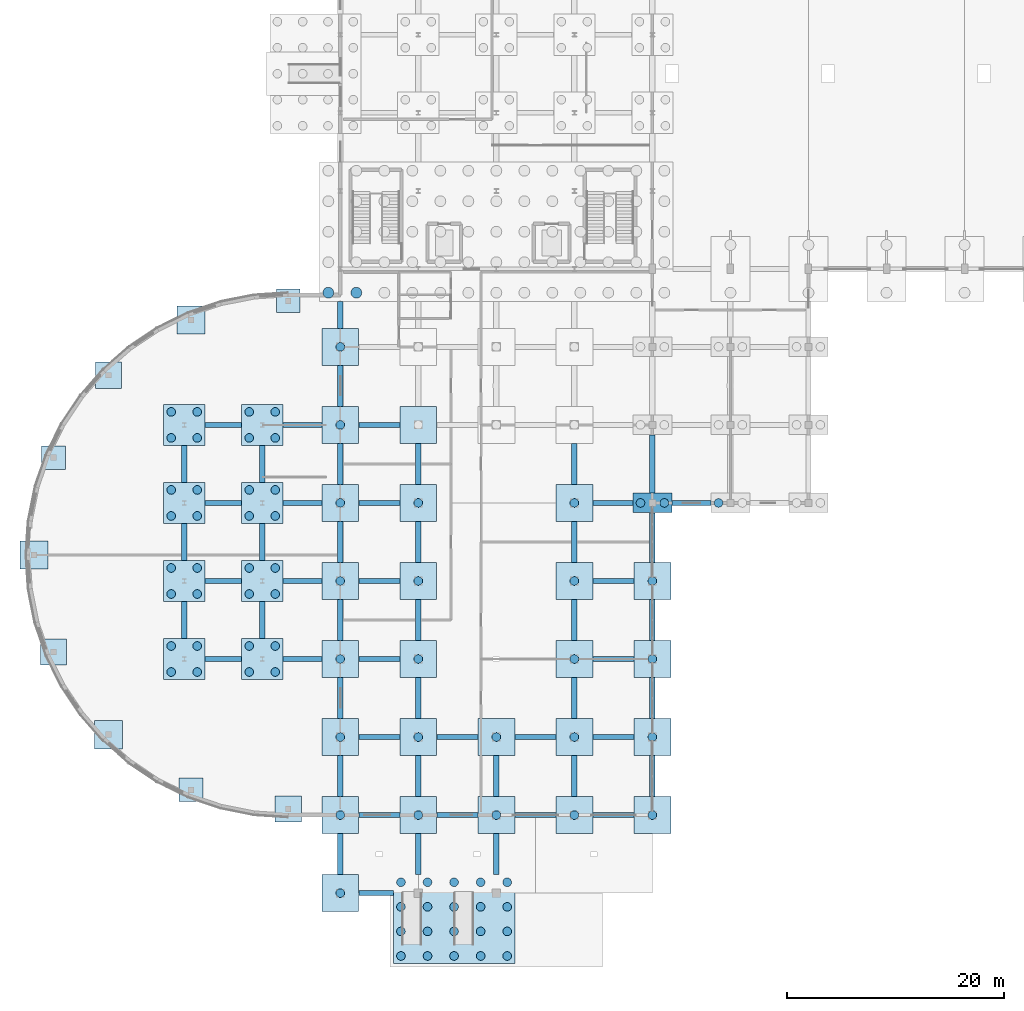
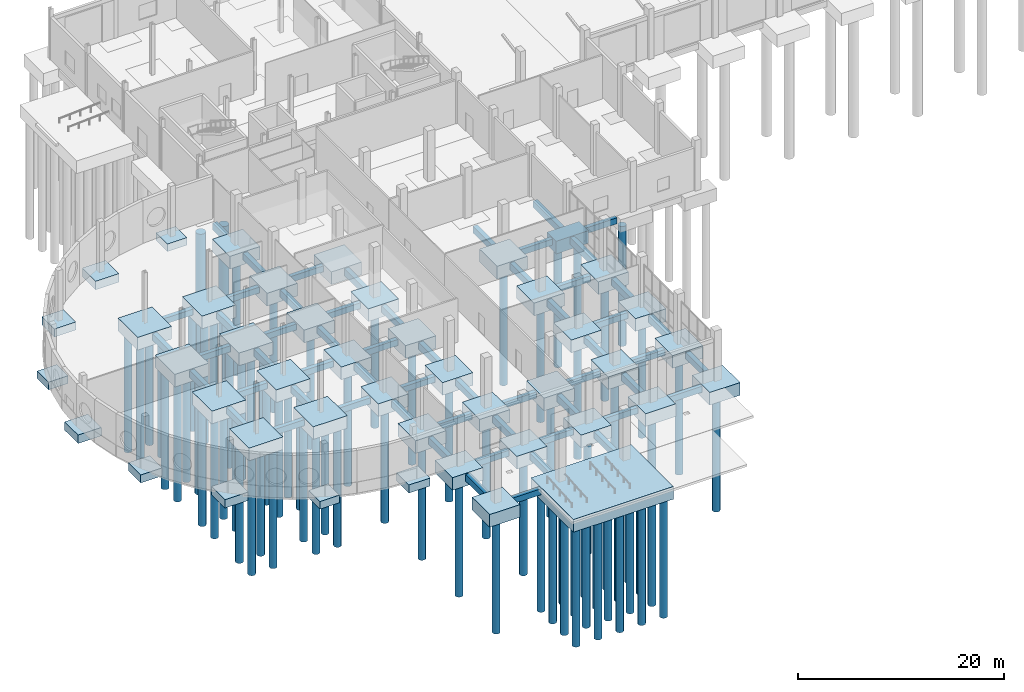
# One storey, part 1 of 45: 101 footings, 81 piles.
"""IFC4 building model written with IfcOpenShell, lengths in metres."""

from ifc_helpers import new_model, si_unit, direction, frame, origin, origin_2d, place, context, subcontext, project, spatial, rectangle, circle, extrude, material, material_profile, profile_set, type_object, element, save


model = new_model("IFC4")

# Units and contexts
model_context = context("Model", 3, precision=1e-05, world=origin(), true_north=direction((0.0, 1.0)))
body_context = subcontext(model_context, "Body", "Model", "MODEL_VIEW")
ifc_project = project(units=[si_unit("LENGTHUNIT", "METRE"), si_unit("AREAUNIT", "SQUARE_METRE"), si_unit("VOLUMEUNIT", "CUBIC_METRE"), si_unit("PLANEANGLEUNIT", "RADIAN"), si_unit("MASSUNIT", "GRAM", prefix="KILO")], contexts=[model_context])

# Site, building, storey
site_placement = place(None, origin())
site = spatial("IfcSite", under=ifc_project, at=site_placement, CompositionType="ELEMENT")
building_placement = place(site_placement, origin())
building = spatial("IfcBuilding", under=site, at=building_placement, Name="Yarey Park Central Fire Station", CompositionType="ELEMENT")
storey_placement = place(building_placement, origin())
storey = spatial("IfcBuildingStorey", under=building, at=storey_placement, Name="L01", CompositionType="ELEMENT", Elevation=0.0)

# Footings
ifc_material = material(Name="Concrete C35/45", Category="concrete")
footing_type_1 = type_object("IfcFootingType", Name="STR_CAP_M05", PredefinedType="PILE_CAP", material=ifc_material)
footing_1_placement = place(storey_placement, frame((39.300048828125, -2.39990234375, -1.5), z_axis=(0.0, 0.0, 1.0), x_axis=(1.0, 0.0, 0.0)))
element("IfcFooting", 1, at=footing_1_placement, inside=storey, type_object=footing_type_1, Name="FDN_CAP_005", PredefinedType="PILE_CAP", context=body_context, shape_type="SweptSolid", body=[
    extrude(rectangle(XDim=11.199951171875, YDim=8.199951171875, at=origin_2d()), origin(), (0.0, 0.0, 1.0), 1.5),
])
footing_type_2 = type_object("IfcFootingType", Name="STR_CAP_PC2", PredefinedType="PILE_CAP", material=ifc_material)
footing_2_placement = place(storey_placement, frame((57.60009765625, 36.0, -1.5), z_axis=(0.0, 0.0, 1.0), x_axis=(1.0, 0.0, 0.0)))
element("IfcFooting", 2, at=footing_2_placement, inside=storey, type_object=footing_type_2, Name="FDN_CAP_058", PredefinedType="PILE_CAP", context=body_context, shape_type="SweptSolid", body=[
    extrude(rectangle(XDim=3.60009765625, YDim=1.800048828125, at=origin_2d()), origin(), (0.0, 0.0, 1.0), 1.5),
])
footing_type_3 = type_object("IfcFootingType", Name="STR_CAP_PC4", PredefinedType="PILE_CAP", material=ifc_material)
for number, where, z_axis, x_axis, name in (
    (3, (28.800048828125, 0.0, -1.5), (0.0, 0.0, 1.0), (1.0, 0.0, 0.0), "FDN_CAP_018"),
    (4, (28.800048828125, 7.199951171875, -1.5), (0.0, 0.0, 1.0), (1.0, 0.0, 0.0), "FDN_CAP_019"),
    (5, (28.800048828125, 14.39990234375, -1.5), (0.0, 0.0, 1.0), (1.0, 0.0, 0.0), "FDN_CAP_020"),
    (6, (28.800048828125, 21.60009765625, -1.5), (0.0, 0.0, 1.0), (1.0, 0.0, 0.0), "FDN_CAP_021"),
    (7, (28.800048828125, 28.800048828125, -1.5), (0.0, 0.0, 1.0), (1.0, 0.0, 0.0), "FDN_CAP_022"),
    (8, (28.800048828125, 36.0, -1.5), (0.0, 0.0, 1.0), (1.0, 0.0, 0.0), "FDN_CAP_023"),
    (9, (28.800048828125, 43.199951171875, -1.5), (0.0, 0.0, 1.0), (1.0, 0.0, 0.0), "FDN_CAP_024"),
    (10, (28.800048828125, 50.39990234375, -1.5), (0.0, 0.0, 1.0), (1.0, 0.0, 0.0), "FDN_CAP_025"),
    (11, (36.0, 7.199951171875, -1.5), (0.0, 0.0, 1.0), (1.0, 0.0, 0.0), "FDN_CAP_027"),
    (12, (36.0, 14.39990234375, -1.5), (0.0, 0.0, 1.0), (1.0, 0.0, 0.0), "FDN_CAP_028"),
    (13, (36.0, 21.60009765625, -1.5), (0.0, 0.0, 1.0), (1.0, 0.0, 0.0), "FDN_CAP_029"),
    (14, (36.0, 28.800048828125, -1.5), (0.0, 0.0, 1.0), (1.0, 0.0, 0.0), "FDN_CAP_030"),
    (15, (36.0, 36.0, -1.5), (0.0, 0.0, 1.0), (1.0, 0.0, 0.0), "FDN_CAP_031"),
    (16, (36.0, 43.199951171875, -1.5), (0.0, 0.0, 1.0), (1.0, 0.0, 0.0), "FDN_CAP_032"),
    (17, (43.199951171875, 7.199951171875, -1.5), (0.0, 0.0, 1.0), (1.0, 0.0, 0.0), "FDN_CAP_037"),
    (18, (43.199951171875, 14.39990234375, -1.5), (0.0, 0.0, 1.0), (1.0, 0.0, 0.0), "FDN_CAP_038"),
    (19, (50.39990234375, 7.199951171875, -1.5), (0.0, 0.0, 1.0), (1.0, 0.0, 0.0), "FDN_CAP_044"),
    (20, (50.39990234375, 14.39990234375, -1.5), (0.0, 0.0, 1.0), (1.0, 0.0, 0.0), "FDN_CAP_045"),
    (21, (50.39990234375, 21.60009765625, -1.5), (0.0, 0.0, 1.0), (1.0, 0.0, 0.0), "FDN_CAP_046"),
    (22, (50.39990234375, 28.800048828125, -1.5), (0.0, 0.0, 1.0), (1.0, 0.0, 0.0), "FDN_CAP_047"),
    (23, (50.39990234375, 36.0, -1.5), (0.0, 0.0, 1.0), (1.0, 0.0, 0.0), "FDN_CAP_048"),
    (24, (57.60009765625, 7.199951171875, -1.5), (0.0, 0.0, 1.0), (1.0, 0.0, 0.0), "FDN_CAP_054"),
    (25, (57.60009765625, 14.39990234375, -1.5), (0.0, 0.0, 1.0), (1.0, 0.0, 0.0), "FDN_CAP_055"),
    (26, (57.60009765625, 21.60009765625, -1.5), (0.0, 0.0, 1.0), (1.0, 0.0, 0.0), "FDN_CAP_056"),
    (27, (57.60009765625, 28.800048828125, -1.5), (0.0, 0.0, 1.0), (1.0, 0.0, 0.0), "FDN_CAP_057"),
):
    element("IfcFooting", number, at=place(storey_placement, frame(where, z_axis=z_axis, x_axis=x_axis)), inside=storey, type_object=footing_type_3, Name=name, PredefinedType="PILE_CAP", context=body_context, shape_type="SweptSolid", body=[
        extrude(rectangle(XDim=3.39990234375, YDim=3.39990234375, at=origin_2d()), origin(), (0.0, 0.0, 1.0), 1.5),
    ])
footing_type_4 = type_object("IfcFootingType", Name="STR_CAP_PC4H", PredefinedType="PILE_CAP", material=ifc_material)
for number, where, z_axis, x_axis, name in (
    (28, (14.39990234375, 21.60009765625, -1.5), (0.0, 0.0, 1.0), (1.0, 0.0, 0.0), "FDN_CAP_010"),
    (29, (14.39990234375, 28.800048828125, -1.5), (0.0, 0.0, 1.0), (1.0, 0.0, 0.0), "FDN_CAP_011"),
    (30, (14.39990234375, 36.0, -1.5), (0.0, 0.0, 1.0), (1.0, 0.0, 0.0), "FDN_CAP_012"),
    (31, (14.39990234375, 43.199951171875, -1.5), (0.0, 0.0, 1.0), (1.0, 0.0, 0.0), "FDN_CAP_013"),
    (32, (21.60009765625, 21.60009765625, -1.5), (0.0, 0.0, 1.0), (1.0, 0.0, 0.0), "FDN_CAP_014"),
    (33, (21.60009765625, 28.800048828125, -1.5), (0.0, 0.0, 1.0), (1.0, 0.0, 0.0), "FDN_CAP_015"),
    (34, (21.60009765625, 36.0, -1.5), (0.0, 0.0, 1.0), (1.0, 0.0, 0.0), "FDN_CAP_016"),
    (35, (21.60009765625, 43.199951171875, -1.5), (0.0, 0.0, 1.0), (1.0, 0.0, 0.0), "FDN_CAP_017"),
):
    element("IfcFooting", number, at=place(storey_placement, frame(where, z_axis=z_axis, x_axis=x_axis)), inside=storey, type_object=footing_type_4, Name=name, PredefinedType="PILE_CAP", context=body_context, shape_type="SweptSolid", body=[
        extrude(rectangle(XDim=3.800048828125, YDim=3.800048828125, at=origin_2d()), origin(), (0.0, 0.0, 1.0), 1.5),
    ])
footing_type_5 = type_object("IfcFootingType", Name="STR_GB_1", PredefinedType="FOOTING_BEAM", material=ifc_material)
footing_3_placement = place(storey_placement, frame((32.10009765625, 0.0, -0.85009765625), z_axis=(0.0, 0.0, 1.0), x_axis=(1.0, 0.0, 0.0)))
element("IfcFooting", 36, at=footing_3_placement, inside=storey, type_object=footing_type_5, Name="FDN_GBX_001", PredefinedType="FOOTING_BEAM", context=body_context, shape_type="SweptSolid", body=[
    extrude(rectangle(XDim=3.18408203125, YDim=0.449951171875, at=origin_2d()), origin(), (0.0, 0.0, 1.0), 0.699951171875),
])
for number, where, z_axis, x_axis, name in (
    (37, (32.39990234375, 7.199951171875, -0.85009765625), (0.0, 0.0, 1.0), (1.0, 0.0, 0.0), "FDN_GBX_002"),
    (38, (39.60009765625, 7.199951171875, -0.85009765625), (0.0, 0.0, 1.0), (1.0, 0.0, 0.0), "FDN_GBX_003"),
    (39, (46.800048828125, 7.199951171875, -0.85009765625), (0.0, 0.0, 1.0), (1.0, 0.0, 0.0), "FDN_GBX_004"),
    (40, (54.0, 7.199951171875, -0.85009765625), (0.0, 0.0, 1.0), (1.0, 0.0, 0.0), "FDN_GBX_005"),
    (41, (32.39990234375, 14.39990234375, -0.85009765625), (0.0, 0.0, 1.0), (1.0, 0.0, 0.0), "FDN_GBX_006"),
    (42, (39.60009765625, 14.39990234375, -0.85009765625), (0.0, 0.0, 1.0), (1.0, 0.0, 0.0), "FDN_GBX_007"),
    (43, (46.800048828125, 14.39990234375, -0.85009765625), (0.0, 0.0, 1.0), (1.0, 0.0, 0.0), "FDN_GBX_008"),
    (44, (54.0, 14.39990234375, -0.85009765625), (0.0, 0.0, 1.0), (1.0, 0.0, 0.0), "FDN_GBX_009"),
):
    element("IfcFooting", number, at=place(storey_placement, frame(where, z_axis=z_axis, x_axis=x_axis)), inside=storey, type_object=footing_type_5, Name=name, PredefinedType="FOOTING_BEAM", context=body_context, shape_type="SweptSolid", body=[
        extrude(rectangle(XDim=3.783935546875, YDim=0.449951171875, at=origin_2d()), origin(), (0.0, 0.0, 1.0), 0.699951171875),
    ])
footing_4_placement = place(storey_placement, frame((18.0, 21.60009765625, -0.85009765625), z_axis=(0.0, 0.0, 1.0), x_axis=(1.0, 0.0, 0.0)))
element("IfcFooting", 45, at=footing_4_placement, inside=storey, type_object=footing_type_5, Name="FDN_GBX_011", PredefinedType="FOOTING_BEAM", context=body_context, shape_type="SweptSolid", body=[
    extrude(rectangle(XDim=3.384033203125, YDim=0.449951171875, at=origin_2d()), origin(), (0.0, 0.0, 1.0), 0.699951171875),
])
footing_5_placement = place(storey_placement, frame((25.300048828125, 21.60009765625, -0.85009765625), z_axis=(0.0, 0.0, 1.0), x_axis=(1.0, 0.0, 0.0)))
element("IfcFooting", 46, at=footing_5_placement, inside=storey, type_object=footing_type_5, Name="FDN_GBX_012", PredefinedType="FOOTING_BEAM", context=body_context, shape_type="SweptSolid", body=[
    extrude(rectangle(XDim=3.583984375, YDim=0.449951171875, at=origin_2d()), origin(), (0.0, 0.0, 1.0), 0.699951171875),
])
for number, where, z_axis, x_axis, name in (
    (47, (32.39990234375, 21.60009765625, -0.85009765625), (0.0, 0.0, 1.0), (1.0, 0.0, 0.0), "FDN_GBX_013"),
    (48, (54.0, 21.60009765625, -0.85009765625), (0.0, 0.0, 1.0), (1.0, 0.0, 0.0), "FDN_GBX_014"),
):
    element("IfcFooting", number, at=place(storey_placement, frame(where, z_axis=z_axis, x_axis=x_axis)), inside=storey, type_object=footing_type_5, Name=name, PredefinedType="FOOTING_BEAM", context=body_context, shape_type="SweptSolid", body=[
        extrude(rectangle(XDim=3.783935546875, YDim=0.449951171875, at=origin_2d()), origin(), (0.0, 0.0, 1.0), 0.699951171875),
    ])
footing_6_placement = place(storey_placement, frame((18.0, 28.800048828125, -0.85009765625), z_axis=(0.0, 0.0, 1.0), x_axis=(1.0, 0.0, 0.0)))
element("IfcFooting", 49, at=footing_6_placement, inside=storey, type_object=footing_type_5, Name="FDN_GBX_019", PredefinedType="FOOTING_BEAM", context=body_context, shape_type="SweptSolid", body=[
    extrude(rectangle(XDim=3.384033203125, YDim=0.449951171875, at=origin_2d()), origin(), (0.0, 0.0, 1.0), 0.699951171875),
])
footing_7_placement = place(storey_placement, frame((25.300048828125, 28.800048828125, -0.85009765625), z_axis=(0.0, 0.0, 1.0), x_axis=(1.0, 0.0, 0.0)))
element("IfcFooting", 50, at=footing_7_placement, inside=storey, type_object=footing_type_5, Name="FDN_GBX_020", PredefinedType="FOOTING_BEAM", context=body_context, shape_type="SweptSolid", body=[
    extrude(rectangle(XDim=3.583984375, YDim=0.449951171875, at=origin_2d()), origin(), (0.0, 0.0, 1.0), 0.699951171875),
])
for number, where, z_axis, x_axis, name in (
    (51, (32.39990234375, 28.800048828125, -0.85009765625), (0.0, 0.0, 1.0), (1.0, 0.0, 0.0), "FDN_GBX_021"),
    (52, (54.0, 28.800048828125, -0.85009765625), (0.0, 0.0, 1.0), (1.0, 0.0, 0.0), "FDN_GBX_022"),
):
    element("IfcFooting", number, at=place(storey_placement, frame(where, z_axis=z_axis, x_axis=x_axis)), inside=storey, type_object=footing_type_5, Name=name, PredefinedType="FOOTING_BEAM", context=body_context, shape_type="SweptSolid", body=[
        extrude(rectangle(XDim=3.783935546875, YDim=0.449951171875, at=origin_2d()), origin(), (0.0, 0.0, 1.0), 0.699951171875),
    ])
footing_8_placement = place(storey_placement, frame((18.0, 36.0, -0.85009765625), z_axis=(0.0, 0.0, 1.0), x_axis=(1.0, 0.0, 0.0)))
element("IfcFooting", 53, at=footing_8_placement, inside=storey, type_object=footing_type_5, Name="FDN_GBX_027", PredefinedType="FOOTING_BEAM", context=body_context, shape_type="SweptSolid", body=[
    extrude(rectangle(XDim=3.384033203125, YDim=0.449951171875, at=origin_2d()), origin(), (0.0, 0.0, 1.0), 0.699951171875),
])
footing_9_placement = place(storey_placement, frame((25.300048828125, 36.0, -0.85009765625), z_axis=(0.0, 0.0, 1.0), x_axis=(1.0, 0.0, 0.0)))
element("IfcFooting", 54, at=footing_9_placement, inside=storey, type_object=footing_type_5, Name="FDN_GBX_028", PredefinedType="FOOTING_BEAM", context=body_context, shape_type="SweptSolid", body=[
    extrude(rectangle(XDim=3.583984375, YDim=0.449951171875, at=origin_2d()), origin(), (0.0, 0.0, 1.0), 0.699951171875),
])
footing_10_placement = place(storey_placement, frame((32.39990234375, 36.0, -0.85009765625), z_axis=(0.0, 0.0, 1.0), x_axis=(1.0, 0.0, 0.0)))
element("IfcFooting", 55, at=footing_10_placement, inside=storey, type_object=footing_type_5, Name="FDN_GBX_029", PredefinedType="FOOTING_BEAM", context=body_context, shape_type="SweptSolid", body=[
    extrude(rectangle(XDim=3.783935546875, YDim=0.449951171875, at=origin_2d()), origin(), (0.0, 0.0, 1.0), 0.699951171875),
])
footing_11_placement = place(storey_placement, frame((53.949951171875, 36.0, -0.85009765625), z_axis=(0.0, 0.0, 1.0), x_axis=(1.0, 0.0, 0.0)))
element("IfcFooting", 56, at=footing_11_placement, inside=storey, type_object=footing_type_5, Name="FDN_GBX_030", PredefinedType="FOOTING_BEAM", context=body_context, shape_type="SweptSolid", body=[
    extrude(rectangle(XDim=3.68408203125, YDim=0.449951171875, at=origin_2d()), origin(), (0.0, 0.0, 1.0), 0.699951171875),
])
footing_12_placement = place(storey_placement, frame((61.199951171875, 36.0, -0.85009765625), z_axis=(0.0, 0.0, 1.0), x_axis=(1.0, 0.0, 0.0)))
element("IfcFooting", 57, at=footing_12_placement, inside=storey, type_object=footing_type_5, Name="FDN_GBX_031", PredefinedType="FOOTING_BEAM", context=body_context, shape_type="SweptSolid", body=[
    extrude(rectangle(XDim=3.583984375, YDim=0.449951171875, at=origin_2d()), origin(), (0.0, 0.0, 1.0), 0.699951171875),
])
footing_13_placement = place(storey_placement, frame((18.0, 43.199951171875, -0.85009765625), z_axis=(0.0, 0.0, 1.0), x_axis=(1.0, 0.0, 0.0)))
element("IfcFooting", 58, at=footing_13_placement, inside=storey, type_object=footing_type_5, Name="FDN_GBX_037", PredefinedType="FOOTING_BEAM", context=body_context, shape_type="SweptSolid", body=[
    extrude(rectangle(XDim=3.384033203125, YDim=0.449951171875, at=origin_2d()), origin(), (0.0, 0.0, 1.0), 0.699951171875),
])
footing_14_placement = place(storey_placement, frame((25.300048828125, 43.199951171875, -0.85009765625), z_axis=(0.0, 0.0, 1.0), x_axis=(1.0, 0.0, 0.0)))
element("IfcFooting", 59, at=footing_14_placement, inside=storey, type_object=footing_type_5, Name="FDN_GBX_038", PredefinedType="FOOTING_BEAM", context=body_context, shape_type="SweptSolid", body=[
    extrude(rectangle(XDim=3.583984375, YDim=0.449951171875, at=origin_2d()), origin(), (0.0, 0.0, 1.0), 0.699951171875),
])
footing_15_placement = place(storey_placement, frame((32.39990234375, 43.199951171875, -0.85009765625), z_axis=(0.0, 0.0, 1.0), x_axis=(1.0, 0.0, 0.0)))
element("IfcFooting", 60, at=footing_15_placement, inside=storey, type_object=footing_type_5, Name="FDN_GBX_039", PredefinedType="FOOTING_BEAM", context=body_context, shape_type="SweptSolid", body=[
    extrude(rectangle(XDim=3.783935546875, YDim=0.449951171875, at=origin_2d()), origin(), (0.0, 0.0, 1.0), 0.699951171875),
])
footing_type_6 = type_object("IfcFootingType", Name="STR_GB_2", PredefinedType="FOOTING_BEAM", material=ifc_material)
for number, where, z_axis, x_axis, name in (
    (61, (14.39990234375, 25.199951171875, -0.89990234375), (0.0, 0.0, 1.0), (1.0, 0.0, 0.0), "FDN_GBY_117"),
    (62, (14.39990234375, 32.39990234375, -0.89990234375), (0.0, 0.0, 1.0), (1.0, 0.0, 0.0), "FDN_GBY_118"),
    (63, (14.39990234375, 39.60009765625, -0.89990234375), (0.0, 0.0, 1.0), (1.0, 0.0, 0.0), "FDN_GBY_119"),
    (64, (21.60009765625, 25.199951171875, -0.89990234375), (0.0, 0.0, 1.0), (1.0, 0.0, 0.0), "FDN_GBY_120"),
    (65, (21.60009765625, 32.39990234375, -0.89990234375), (0.0, 0.0, 1.0), (1.0, 0.0, 0.0), "FDN_GBY_121"),
    (66, (21.60009765625, 39.60009765625, -0.89990234375), (0.0, 0.0, 1.0), (1.0, 0.0, 0.0), "FDN_GBY_122"),
):
    element("IfcFooting", number, at=place(storey_placement, frame(where, z_axis=z_axis, x_axis=x_axis)), inside=storey, type_object=footing_type_6, Name=name, PredefinedType="FOOTING_BEAM", context=body_context, shape_type="SweptSolid", body=[
        extrude(rectangle(XDim=0.5, YDim=3.384033203125, at=origin_2d()), origin(), (0.0, 0.0, 1.0), 0.800048828125),
    ])
for number, where, z_axis, x_axis, name in (
    (67, (28.800048828125, 3.60009765625, -0.89990234375), (0.0, 0.0, 1.0), (1.0, 0.0, 0.0), "FDN_GBY_123"),
    (68, (28.800048828125, 10.800048828125, -0.89990234375), (0.0, 0.0, 1.0), (1.0, 0.0, 0.0), "FDN_GBY_124"),
    (69, (28.800048828125, 18.0, -0.89990234375), (0.0, 0.0, 1.0), (1.0, 0.0, 0.0), "FDN_GBY_125"),
    (70, (28.800048828125, 25.199951171875, -0.89990234375), (0.0, 0.0, 1.0), (1.0, 0.0, 0.0), "FDN_GBY_126"),
    (71, (28.800048828125, 32.39990234375, -0.89990234375), (0.0, 0.0, 1.0), (1.0, 0.0, 0.0), "FDN_GBY_127"),
    (72, (28.800048828125, 39.60009765625, -0.89990234375), (0.0, 0.0, 1.0), (1.0, 0.0, 0.0), "FDN_GBY_128"),
    (73, (28.800048828125, 46.800048828125, -0.89990234375), (0.0, 0.0, 1.0), (1.0, 0.0, 0.0), "FDN_GBY_129"),
):
    element("IfcFooting", number, at=place(storey_placement, frame(where, z_axis=z_axis, x_axis=x_axis)), inside=storey, type_object=footing_type_6, Name=name, PredefinedType="FOOTING_BEAM", context=body_context, shape_type="SweptSolid", body=[
        extrude(rectangle(XDim=0.5, YDim=3.783935546875, at=origin_2d()), origin(), (0.0, 0.0, 1.0), 0.800048828125),
    ])
footing_16_placement = place(storey_placement, frame((28.800048828125, 53.35009765625, -0.89990234375), z_axis=(0.0, 0.0, 1.0), x_axis=(1.0, 0.0, 0.0)))
element("IfcFooting", 74, at=footing_16_placement, inside=storey, type_object=footing_type_6, Name="FDN_GBY_130", PredefinedType="FOOTING_BEAM", context=body_context, shape_type="SweptSolid", body=[
    extrude(rectangle(XDim=0.5, YDim=2.48388671875, at=origin_2d()), origin(), (0.0, 0.0, 1.0), 0.800048828125),
])
for number, where, z_axis, x_axis, name in (
    (75, (36.0, 3.60009765625, -0.89990234375), (0.0, 0.0, 1.0), (1.0, 0.0, 0.0), "FDN_GBY_133"),
    (76, (36.0, 10.800048828125, -0.89990234375), (0.0, 0.0, 1.0), (1.0, 0.0, 0.0), "FDN_GBY_134"),
    (77, (36.0, 18.0, -0.89990234375), (0.0, 0.0, 1.0), (1.0, 0.0, 0.0), "FDN_GBY_135"),
    (78, (36.0, 25.199951171875, -0.89990234375), (0.0, 0.0, 1.0), (1.0, 0.0, 0.0), "FDN_GBY_136"),
    (79, (36.0, 32.39990234375, -0.89990234375), (0.0, 0.0, 1.0), (1.0, 0.0, 0.0), "FDN_GBY_137"),
    (80, (36.0, 39.60009765625, -0.89990234375), (0.0, 0.0, 1.0), (1.0, 0.0, 0.0), "FDN_GBY_138"),
    (81, (43.199951171875, 3.60009765625, -0.89990234375), (0.0, 0.0, 1.0), (1.0, 0.0, 0.0), "FDN_GBY_144"),
    (82, (43.199951171875, 10.800048828125, -0.89990234375), (0.0, 0.0, 1.0), (1.0, 0.0, 0.0), "FDN_GBY_145"),
    (83, (50.39990234375, 10.800048828125, -0.89990234375), (0.0, 0.0, 1.0), (1.0, 0.0, 0.0), "FDN_GBY_151"),
    (84, (50.39990234375, 18.0, -0.89990234375), (0.0, 0.0, 1.0), (1.0, 0.0, 0.0), "FDN_GBY_152"),
    (85, (50.39990234375, 25.199951171875, -0.89990234375), (0.0, 0.0, 1.0), (1.0, 0.0, 0.0), "FDN_GBY_153"),
    (86, (50.39990234375, 32.39990234375, -0.89990234375), (0.0, 0.0, 1.0), (1.0, 0.0, 0.0), "FDN_GBY_154"),
    (87, (50.39990234375, 39.60009765625, -0.89990234375), (0.0, 0.0, 1.0), (1.0, 0.0, 0.0), "FDN_GBY_155"),
    (88, (57.60009765625, 10.800048828125, -0.89990234375), (0.0, 0.0, 1.0), (1.0, 0.0, 0.0), "FDN_GBY_161"),
    (89, (57.60009765625, 18.0, -0.89990234375), (0.0, 0.0, 1.0), (1.0, 0.0, 0.0), "FDN_GBY_162"),
    (90, (57.60009765625, 25.199951171875, -0.89990234375), (0.0, 0.0, 1.0), (1.0, 0.0, 0.0), "FDN_GBY_163"),
):
    element("IfcFooting", number, at=place(storey_placement, frame(where, z_axis=z_axis, x_axis=x_axis)), inside=storey, type_object=footing_type_6, Name=name, PredefinedType="FOOTING_BEAM", context=body_context, shape_type="SweptSolid", body=[
        extrude(rectangle(XDim=0.5, YDim=3.783935546875, at=origin_2d()), origin(), (0.0, 0.0, 1.0), 0.800048828125),
    ])
footing_17_placement = place(storey_placement, frame((57.60009765625, 32.800048828125, -0.89990234375), z_axis=(0.0, 0.0, 1.0), x_axis=(1.0, 0.0, 0.0)))
element("IfcFooting", 91, at=footing_17_placement, inside=storey, type_object=footing_type_6, Name="FDN_GBY_164", PredefinedType="FOOTING_BEAM", context=body_context, shape_type="SweptSolid", body=[
    extrude(rectangle(XDim=0.5, YDim=4.583984375, at=origin_2d()), origin(), (0.0, 0.0, 1.0), 0.800048828125),
])
footing_18_placement = place(storey_placement, frame((57.60009765625, 39.60009765625, -0.89990234375), z_axis=(0.0, 0.0, 1.0), x_axis=(1.0, 0.0, 0.0)))
element("IfcFooting", 92, at=footing_18_placement, inside=storey, type_object=footing_type_6, Name="FDN_GBY_165", PredefinedType="FOOTING_BEAM", context=body_context, shape_type="SweptSolid", body=[
    extrude(rectangle(XDim=0.5, YDim=5.384033203125, at=origin_2d()), origin(), (0.0, 0.0, 1.0), 0.800048828125),
])
footing_type_7 = type_object("IfcFootingType", Name="STR_PAD_F1", PredefinedType="PAD_FOOTING", material=ifc_material)
for number, where, z_axis, x_axis, name in (
    (93, (2.3349609375, 40.174072265625, -0.89990234375), (0.0, 0.0, 1.0), (1.0, 0.0, 0.0), "FDN_PAD_03"),
    (94, (15.02587890625, 9.534912109375, -0.89990234375), (0.0, 0.0, 1.0), (1.0, 0.0, 0.0), "FDN_PAD_06"),
    (95, (24.0, 54.64990234375, -0.89990234375), (0.0, 0.0, 1.0), (1.0, 0.0, 0.0), "FDN_PAD_09"),
):
    element("IfcFooting", number, at=place(storey_placement, frame(where, z_axis=z_axis, x_axis=x_axis)), inside=storey, type_object=footing_type_7, Name=name, PredefinedType="PAD_FOOTING", context=body_context, shape_type="SweptSolid", body=[
        extrude(rectangle(XDim=2.199951171875, YDim=2.199951171875, at=origin_2d()), origin(), (0.0, 0.0, 1.0), 0.89990234375),
    ])
footing_type_8 = type_object("IfcFootingType", Name="STR_PAD_F2", PredefinedType="PAD_FOOTING", material=ifc_material)
for number, where, z_axis, x_axis, name in (
    (96, (0.550048828125, 31.199951171875, -1.0), (0.0, 0.0, 1.0), (1.0, 0.0, 0.0), "FDN_PAD_01"),
    (97, (7.41796875, 14.617919921875, -1.0), (0.0, 0.0, 1.0), (1.0, 0.0, 0.0), "FDN_PAD_04"),
    (98, (15.02587890625, 52.864990234375, -1.0), (0.0, 0.0, 1.0), (1.0, 0.0, 0.0), "FDN_PAD_07"),
):
    element("IfcFooting", number, at=place(storey_placement, frame(where, z_axis=z_axis, x_axis=x_axis)), inside=storey, type_object=footing_type_8, Name=name, PredefinedType="PAD_FOOTING", context=body_context, shape_type="SweptSolid", body=[
        extrude(rectangle(XDim=2.60009765625, YDim=2.60009765625, at=origin_2d()), origin(), (0.0, 0.0, 1.0), 1.0),
    ])
footing_type_9 = type_object("IfcFootingType", Name="STR_PAD_F3", PredefinedType="PAD_FOOTING", material=ifc_material)
for number, where, z_axis, x_axis, name in (
    (99, (2.3349609375, 22.22607421875, -0.9501953125), (0.0, 0.0, 1.0), (1.0, 0.0, 0.0), "FDN_PAD_02"),
    (100, (7.41796875, 47.781982421875, -0.9501953125), (0.0, 0.0, 1.0), (1.0, 0.0, 0.0), "FDN_PAD_05"),
    (101, (24.0, 7.75, -0.9501953125), (0.0, 0.0, 1.0), (1.0, 0.0, 0.0), "FDN_PAD_08"),
):
    element("IfcFooting", number, at=place(storey_placement, frame(where, z_axis=z_axis, x_axis=x_axis)), inside=storey, type_object=footing_type_9, Name=name, PredefinedType="PAD_FOOTING", context=body_context, shape_type="SweptSolid", body=[
        extrude(rectangle(XDim=2.39990234375, YDim=2.39990234375, at=origin_2d()), origin(), (0.0, 0.0, 1.0), 0.949951171875),
    ])

# Piles
ifc_material_profile_1 = material_profile(ifc_material, circle(Radius=0.5, at=origin_2d()), Name="BORED PILE D1000")
ifc_profile_set_1 = profile_set([ifc_material_profile_1], Name="Concrete C35/45")
pile_type_1 = type_object("IfcPileType", Name="STR_PILE_D1000", PredefinedType="BORED", material=ifc_profile_set_1)
for number, where, z_axis, x_axis, name in (
    (102, (27.699951171875, 55.39990234375, -1.300048828125), (0.0, 0.0, -1.0), (1.0, 0.0, 0.0), "FDN_PILE_X2770_Y5540"),
    (103, (30.283203125, 55.39990234375, -1.300048828125), (0.0, 0.0, -1.0), (1.0, 0.0, 0.0), "FDN_PILE_X3028_Y5540"),
):
    element("IfcPile", number, at=place(storey_placement, frame(where, z_axis=z_axis, x_axis=x_axis)), inside=storey, type_object=pile_type_1, Name=name, PredefinedType="BORED", context=body_context, shape_type="SweptSolid", body=[
        extrude(circle(Radius=0.5, at=origin_2d()), origin(), (0.0, 0.0, 1.0), 14.199951171875),
    ])
ifc_material_profile_2 = material_profile(ifc_material, circle(Radius=0.39990234375, at=origin_2d()), Name="BORED PILE D800")
ifc_profile_set_2 = profile_set([ifc_material_profile_2], Name="Concrete C35/45")
pile_type_2 = type_object("IfcPileType", Name="STR_PILE_D800", PredefinedType="BORED", material=ifc_profile_set_2)
for number, where, z_axis, x_axis, name in (
    (104, (34.39990234375, -5.800048828125, -1.300048828125), (0.0, 0.0, -1.0), (1.0, 0.0, 0.0), "FDN_PILE_X3440_Y-580"),
    (105, (34.39990234375, -3.533203125, -1.300048828125), (0.0, 0.0, -1.0), (1.0, 0.0, 0.0), "FDN_PILE_X3440_Y-353"),
    (106, (34.39990234375, -1.2666015625, -1.300048828125), (0.0, 0.0, -1.0), (1.0, 0.0, 0.0), "FDN_PILE_X3440_Y-127"),
    (107, (34.39990234375, 1.0, -1.300048828125), (0.0, 0.0, -1.0), (1.0, 0.0, 0.0), "FDN_PILE_X3440_Y100"),
    (108, (36.85009765625, -5.800048828125, -1.300048828125), (0.0, 0.0, -1.0), (1.0, 0.0, 0.0), "FDN_PILE_X3685_Y-580"),
    (109, (36.85009765625, -3.533203125, -1.300048828125), (0.0, 0.0, -1.0), (1.0, 0.0, 0.0), "FDN_PILE_X3685_Y-353"),
    (110, (36.85009765625, -1.2666015625, -1.300048828125), (0.0, 0.0, -1.0), (1.0, 0.0, 0.0), "FDN_PILE_X3685_Y-127"),
    (111, (36.85009765625, 1.0, -1.300048828125), (0.0, 0.0, -1.0), (1.0, 0.0, 0.0), "FDN_PILE_X3685_Y100"),
    (112, (39.300048828125, -5.800048828125, -1.300048828125), (0.0, 0.0, -1.0), (1.0, 0.0, 0.0), "FDN_PILE_X3930_Y-580"),
    (113, (39.300048828125, -3.533203125, -1.300048828125), (0.0, 0.0, -1.0), (1.0, 0.0, 0.0), "FDN_PILE_X3930_Y-353"),
    (114, (39.300048828125, -1.2666015625, -1.300048828125), (0.0, 0.0, -1.0), (1.0, 0.0, 0.0), "FDN_PILE_X3930_Y-127"),
    (115, (39.300048828125, 1.0, -1.300048828125), (0.0, 0.0, -1.0), (1.0, 0.0, 0.0), "FDN_PILE_X3930_Y100"),
    (116, (41.75, -5.800048828125, -1.300048828125), (0.0, 0.0, -1.0), (1.0, 0.0, 0.0), "FDN_PILE_X4175_Y-580"),
    (117, (41.75, -3.533203125, -1.300048828125), (0.0, 0.0, -1.0), (1.0, 0.0, 0.0), "FDN_PILE_X4175_Y-353"),
    (118, (41.75, -1.2666015625, -1.300048828125), (0.0, 0.0, -1.0), (1.0, 0.0, 0.0), "FDN_PILE_X4175_Y-127"),
    (119, (41.75, 1.0, -1.300048828125), (0.0, 0.0, -1.0), (1.0, 0.0, 0.0), "FDN_PILE_X4175_Y100"),
    (120, (44.199951171875, -5.800048828125, -1.300048828125), (0.0, 0.0, -1.0), (1.0, 0.0, 0.0), "FDN_PILE_X4420_Y-580"),
    (121, (44.199951171875, -3.533203125, -1.300048828125), (0.0, 0.0, -1.0), (1.0, 0.0, 0.0), "FDN_PILE_X4420_Y-353"),
    (122, (44.199951171875, -1.2666015625, -1.300048828125), (0.0, 0.0, -1.0), (1.0, 0.0, 0.0), "FDN_PILE_X4420_Y-127"),
    (123, (44.199951171875, 1.0, -1.300048828125), (0.0, 0.0, -1.0), (1.0, 0.0, 0.0), "FDN_PILE_X4420_Y100"),
    (124, (13.199951171875, 20.39990234375, -1.300048828125), (0.0, 0.0, -1.0), (1.0, 0.0, 0.0), "FDN_PILE_X1320_Y2040"),
    (125, (13.199951171875, 22.800048828125, -1.300048828125), (0.0, 0.0, -1.0), (1.0, 0.0, 0.0), "FDN_PILE_X1320_Y2280"),
    (126, (15.60009765625, 20.39990234375, -1.300048828125), (0.0, 0.0, -1.0), (1.0, 0.0, 0.0), "FDN_PILE_X1560_Y2040"),
    (127, (15.60009765625, 22.800048828125, -1.300048828125), (0.0, 0.0, -1.0), (1.0, 0.0, 0.0), "FDN_PILE_X1560_Y2280"),
    (128, (13.199951171875, 27.60009765625, -1.300048828125), (0.0, 0.0, -1.0), (1.0, 0.0, 0.0), "FDN_PILE_X1320_Y2760"),
    (129, (13.199951171875, 30.0, -1.300048828125), (0.0, 0.0, -1.0), (1.0, 0.0, 0.0), "FDN_PILE_X1320_Y3000"),
    (130, (15.60009765625, 27.60009765625, -1.300048828125), (0.0, 0.0, -1.0), (1.0, 0.0, 0.0), "FDN_PILE_X1560_Y2760"),
    (131, (15.60009765625, 30.0, -1.300048828125), (0.0, 0.0, -1.0), (1.0, 0.0, 0.0), "FDN_PILE_X1560_Y3000"),
    (132, (13.199951171875, 34.800048828125, -1.300048828125), (0.0, 0.0, -1.0), (1.0, 0.0, 0.0), "FDN_PILE_X1320_Y3480"),
    (133, (13.199951171875, 37.199951171875, -1.300048828125), (0.0, 0.0, -1.0), (1.0, 0.0, 0.0), "FDN_PILE_X1320_Y3720"),
    (134, (15.60009765625, 34.800048828125, -1.300048828125), (0.0, 0.0, -1.0), (1.0, 0.0, 0.0), "FDN_PILE_X1560_Y3480"),
    (135, (15.60009765625, 37.199951171875, -1.300048828125), (0.0, 0.0, -1.0), (1.0, 0.0, 0.0), "FDN_PILE_X1560_Y3720"),
    (136, (13.199951171875, 42.0, -1.300048828125), (0.0, 0.0, -1.0), (1.0, 0.0, 0.0), "FDN_PILE_X1320_Y4200"),
    (137, (13.199951171875, 44.39990234375, -1.300048828125), (0.0, 0.0, -1.0), (1.0, 0.0, 0.0), "FDN_PILE_X1320_Y4440"),
    (138, (15.60009765625, 42.0, -1.300048828125), (0.0, 0.0, -1.0), (1.0, 0.0, 0.0), "FDN_PILE_X1560_Y4200"),
    (139, (15.60009765625, 44.39990234375, -1.300048828125), (0.0, 0.0, -1.0), (1.0, 0.0, 0.0), "FDN_PILE_X1560_Y4440"),
    (140, (20.39990234375, 20.39990234375, -1.300048828125), (0.0, 0.0, -1.0), (1.0, 0.0, 0.0), "FDN_PILE_X2040_Y2040"),
    (141, (20.39990234375, 22.800048828125, -1.300048828125), (0.0, 0.0, -1.0), (1.0, 0.0, 0.0), "FDN_PILE_X2040_Y2280"),
    (142, (22.800048828125, 20.39990234375, -1.300048828125), (0.0, 0.0, -1.0), (1.0, 0.0, 0.0), "FDN_PILE_X2280_Y2040"),
    (143, (22.800048828125, 22.800048828125, -1.300048828125), (0.0, 0.0, -1.0), (1.0, 0.0, 0.0), "FDN_PILE_X2280_Y2280"),
    (144, (20.39990234375, 27.60009765625, -1.300048828125), (0.0, 0.0, -1.0), (1.0, 0.0, 0.0), "FDN_PILE_X2040_Y2760"),
    (145, (20.39990234375, 30.0, -1.300048828125), (0.0, 0.0, -1.0), (1.0, 0.0, 0.0), "FDN_PILE_X2040_Y3000"),
    (146, (22.800048828125, 27.60009765625, -1.300048828125), (0.0, 0.0, -1.0), (1.0, 0.0, 0.0), "FDN_PILE_X2280_Y2760"),
    (147, (22.800048828125, 30.0, -1.300048828125), (0.0, 0.0, -1.0), (1.0, 0.0, 0.0), "FDN_PILE_X2280_Y3000"),
    (148, (20.39990234375, 34.800048828125, -1.300048828125), (0.0, 0.0, -1.0), (1.0, 0.0, 0.0), "FDN_PILE_X2040_Y3480"),
    (149, (20.39990234375, 37.199951171875, -1.300048828125), (0.0, 0.0, -1.0), (1.0, 0.0, 0.0), "FDN_PILE_X2040_Y3720"),
    (150, (22.800048828125, 34.800048828125, -1.300048828125), (0.0, 0.0, -1.0), (1.0, 0.0, 0.0), "FDN_PILE_X2280_Y3480"),
    (151, (22.800048828125, 37.199951171875, -1.300048828125), (0.0, 0.0, -1.0), (1.0, 0.0, 0.0), "FDN_PILE_X2280_Y3720"),
    (152, (20.39990234375, 42.0, -1.300048828125), (0.0, 0.0, -1.0), (1.0, 0.0, 0.0), "FDN_PILE_X2040_Y4200"),
    (153, (20.39990234375, 44.39990234375, -1.300048828125), (0.0, 0.0, -1.0), (1.0, 0.0, 0.0), "FDN_PILE_X2040_Y4440"),
    (154, (22.800048828125, 42.0, -1.300048828125), (0.0, 0.0, -1.0), (1.0, 0.0, 0.0), "FDN_PILE_X2280_Y4200"),
    (155, (22.800048828125, 44.39990234375, -1.300048828125), (0.0, 0.0, -1.0), (1.0, 0.0, 0.0), "FDN_PILE_X2280_Y4440"),
    (156, (28.800048828125, 0.0, -1.300048828125), (0.0, 0.0, -1.0), (1.0, 0.0, 0.0), "FDN_PILE_X2880_Y0"),
    (157, (28.800048828125, 7.199951171875, -1.300048828125), (0.0, 0.0, -1.0), (1.0, 0.0, 0.0), "FDN_PILE_X2880_Y720"),
    (158, (28.800048828125, 14.39990234375, -1.300048828125), (0.0, 0.0, -1.0), (1.0, 0.0, 0.0), "FDN_PILE_X2880_Y1440"),
    (159, (28.800048828125, 21.60009765625, -1.300048828125), (0.0, 0.0, -1.0), (1.0, 0.0, 0.0), "FDN_PILE_X2880_Y2160"),
    (160, (28.800048828125, 28.800048828125, -1.300048828125), (0.0, 0.0, -1.0), (1.0, 0.0, 0.0), "FDN_PILE_X2880_Y2880"),
    (161, (28.800048828125, 36.0, -1.300048828125), (0.0, 0.0, -1.0), (1.0, 0.0, 0.0), "FDN_PILE_X2880_Y3600"),
    (162, (28.800048828125, 43.199951171875, -1.300048828125), (0.0, 0.0, -1.0), (1.0, 0.0, 0.0), "FDN_PILE_X2880_Y4320"),
    (163, (28.800048828125, 50.39990234375, -1.300048828125), (0.0, 0.0, -1.0), (1.0, 0.0, 0.0), "FDN_PILE_X2880_Y5040"),
    (164, (36.0, 7.199951171875, -1.300048828125), (0.0, 0.0, -1.0), (1.0, 0.0, 0.0), "FDN_PILE_X3600_Y720"),
    (165, (36.0, 14.39990234375, -1.300048828125), (0.0, 0.0, -1.0), (1.0, 0.0, 0.0), "FDN_PILE_X3600_Y1440"),
    (166, (36.0, 21.60009765625, -1.300048828125), (0.0, 0.0, -1.0), (1.0, 0.0, 0.0), "FDN_PILE_X3600_Y2160"),
    (167, (36.0, 28.800048828125, -1.300048828125), (0.0, 0.0, -1.0), (1.0, 0.0, 0.0), "FDN_PILE_X3600_Y2880"),
    (168, (36.0, 36.0, -1.300048828125), (0.0, 0.0, -1.0), (1.0, 0.0, 0.0), "FDN_PILE_X3600_Y3600"),
    (169, (43.199951171875, 7.199951171875, -1.300048828125), (0.0, 0.0, -1.0), (1.0, 0.0, 0.0), "FDN_PILE_X4320_Y720"),
    (170, (43.199951171875, 14.39990234375, -1.300048828125), (0.0, 0.0, -1.0), (1.0, 0.0, 0.0), "FDN_PILE_X4320_Y1440"),
    (171, (50.39990234375, 7.199951171875, -1.300048828125), (0.0, 0.0, -1.0), (1.0, 0.0, 0.0), "FDN_PILE_X5040_Y720"),
    (172, (50.39990234375, 14.39990234375, -1.300048828125), (0.0, 0.0, -1.0), (1.0, 0.0, 0.0), "FDN_PILE_X5040_Y1440"),
    (173, (50.39990234375, 21.60009765625, -1.300048828125), (0.0, 0.0, -1.0), (1.0, 0.0, 0.0), "FDN_PILE_X5040_Y2160"),
    (174, (50.39990234375, 28.800048828125, -1.300048828125), (0.0, 0.0, -1.0), (1.0, 0.0, 0.0), "FDN_PILE_X5040_Y2880"),
    (175, (50.39990234375, 36.0, -1.300048828125), (0.0, 0.0, -1.0), (1.0, 0.0, 0.0), "FDN_PILE_X5040_Y3600"),
    (176, (57.60009765625, 7.199951171875, -1.300048828125), (0.0, 0.0, -1.0), (1.0, 0.0, 0.0), "FDN_PILE_X5760_Y720"),
    (177, (57.60009765625, 14.39990234375, -1.300048828125), (0.0, 0.0, -1.0), (1.0, 0.0, 0.0), "FDN_PILE_X5760_Y1440"),
    (178, (57.60009765625, 21.60009765625, -1.300048828125), (0.0, 0.0, -1.0), (1.0, 0.0, 0.0), "FDN_PILE_X5760_Y2160"),
    (179, (57.60009765625, 28.800048828125, -1.300048828125), (0.0, 0.0, -1.0), (1.0, 0.0, 0.0), "FDN_PILE_X5760_Y2880"),
    (180, (56.5, 36.0, -1.300048828125), (0.0, 0.0, -1.0), (1.0, 0.0, 0.0), "FDN_PILE_X5650_Y3600"),
    (181, (58.699951171875, 36.0, -1.300048828125), (0.0, 0.0, -1.0), (1.0, 0.0, 0.0), "FDN_PILE_X5870_Y3600"),
    (182, (63.699951171875, 36.0, -1.300048828125), (0.0, 0.0, -1.0), (1.0, 0.0, 0.0), "FDN_PILE_X6370_Y3600"),
):
    element("IfcPile", number, at=place(storey_placement, frame(where, z_axis=z_axis, x_axis=x_axis)), inside=storey, type_object=pile_type_2, Name=name, PredefinedType="BORED", context=body_context, shape_type="SweptSolid", body=[
        extrude(circle(Radius=0.39990234375, at=origin_2d()), origin(), (0.0, 0.0, 1.0), 14.199951171875),
    ])

save(model, "model.ifc")
